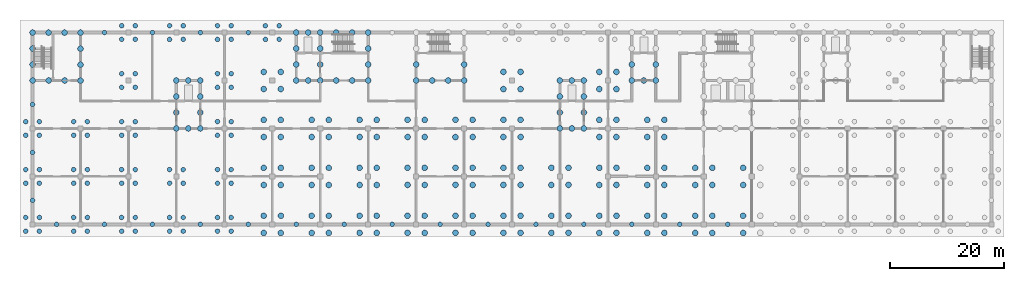
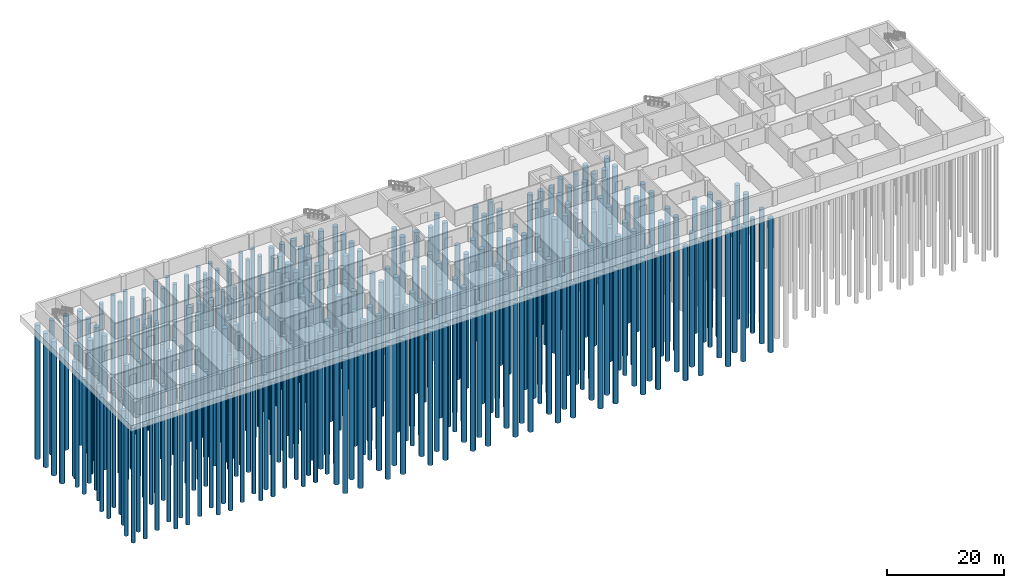
# One storey, part 1 of 11: 291 piles.
"""IFC4 building model written with IfcOpenShell, lengths in metres."""

from ifc_helpers import new_model, si_unit, direction, frame, origin, origin_2d, place, context, subcontext, project, spatial, circle, extrude, material, material_profile, profile_set, type_object, element, save


model = new_model("IFC4")

# Units and contexts
model_context = context("Model", 3, precision=1e-05, world=origin(), true_north=direction((0.0, 1.0)))
body_context = subcontext(model_context, "Body", "Model", "MODEL_VIEW")
ifc_project = project(units=[si_unit("LENGTHUNIT", "METRE"), si_unit("AREAUNIT", "SQUARE_METRE"), si_unit("VOLUMEUNIT", "CUBIC_METRE"), si_unit("PLANEANGLEUNIT", "RADIAN"), si_unit("MASSUNIT", "GRAM", prefix="KILO")], contexts=[model_context])

# Site, building, storey
site_placement = place(None, origin())
site = spatial("IfcSite", under=ifc_project, at=site_placement, CompositionType="ELEMENT")
building_placement = place(site_placement, origin())
building = spatial("IfcBuilding", under=site, at=building_placement, Name="Yavir Park General Hospital", CompositionType="ELEMENT")
storey_placement = place(building_placement, frame((0.0, 0.0, -15.0)))
storey = spatial("IfcBuildingStorey", under=building, at=storey_placement, Name="B4", CompositionType="ELEMENT", Elevation=-15.0)

# Piles
ifc_material_1 = material(Name="Concrete C35/45", Category="concrete")
ifc_material_profile_1 = material_profile(ifc_material_1, circle(Radius=0.5, at=origin_2d()), Name="D1000")
ifc_profile_set_1 = profile_set([ifc_material_profile_1], Name="Concrete C35/45")
pile_type_1 = type_object("IfcPileType", Name="BORED PILE D1000", PredefinedType="BORED", material=ifc_profile_set_1)
for number, where, z_axis, x_axis, name in (
    (1, (40.5, -1.5, -1.2001953125), (0.0, 0.0, -1.0), (1.0, 0.0, 0.0), "P:B4:000"),
    (2, (43.5, -1.5, -1.2001953125), (0.0, 0.0, -1.0), (1.0, 0.0, 0.0), "P:B4:001"),
    (3, (48.89990234375, -1.5, -1.2001953125), (0.0, 0.0, -1.0), (1.0, 0.0, 0.0), "P:B4:002"),
    (4, (51.89990234375, -1.5, -1.2001953125), (0.0, 0.0, -1.0), (1.0, 0.0, 0.0), "P:B4:003"),
    (5, (57.300048828125, -1.5, -1.2001953125), (0.0, 0.0, -1.0), (1.0, 0.0, 0.0), "P:B4:004"),
    (6, (60.300048828125, -1.5, -1.2001953125), (0.0, 0.0, -1.0), (1.0, 0.0, 0.0), "P:B4:005"),
    (7, (65.699951171875, -1.5, -1.2001953125), (0.0, 0.0, -1.0), (1.0, 0.0, 0.0), "P:B4:006"),
    (8, (68.699951171875, -1.5, -1.2001953125), (0.0, 0.0, -1.0), (1.0, 0.0, 0.0), "P:B4:007"),
    (9, (74.10009765625, -1.5, -1.2001953125), (0.0, 0.0, -1.0), (1.0, 0.0, 0.0), "P:B4:008"),
    (10, (77.10009765625, -1.5, -1.2001953125), (0.0, 0.0, -1.0), (1.0, 0.0, 0.0), "P:B4:009"),
    (11, (82.5, -1.5, -1.2001953125), (0.0, 0.0, -1.0), (1.0, 0.0, 0.0), "P:B4:010"),
    (12, (85.5, -1.5, -1.2001953125), (0.0, 0.0, -1.0), (1.0, 0.0, 0.0), "P:B4:011"),
    (13, (90.89990234375, -1.5, -1.2001953125), (0.0, 0.0, -1.0), (1.0, 0.0, 0.0), "P:B4:012"),
    (14, (93.89990234375, -1.5, -1.2001953125), (0.0, 0.0, -1.0), (1.0, 0.0, 0.0), "P:B4:013"),
    (15, (99.300048828125, -1.5, -1.2001953125), (0.0, 0.0, -1.0), (1.0, 0.0, 0.0), "P:B4:014"),
    (16, (102.300048828125, -1.5, -1.2001953125), (0.0, 0.0, -1.0), (1.0, 0.0, 0.0), "P:B4:015"),
    (17, (107.699951171875, -1.5, -1.2001953125), (0.0, 0.0, -1.0), (1.0, 0.0, 0.0), "P:B4:016"),
    (18, (110.699951171875, -1.5, -1.2001953125), (0.0, 0.0, -1.0), (1.0, 0.0, 0.0), "P:B4:017"),
    (19, (116.10009765625, -1.5, -1.2001953125), (0.0, 0.0, -1.0), (1.0, 0.0, 0.0), "P:B4:018"),
    (20, (119.10009765625, -1.5, -1.2001953125), (0.0, 0.0, -1.0), (1.0, 0.0, 0.0), "P:B4:019"),
    (21, (124.5, -1.5, -1.2001953125), (0.0, 0.0, -1.0), (1.0, 0.0, 0.0), "P:B4:020"),
    (22, (40.5, 1.5, -1.2001953125), (0.0, 0.0, -1.0), (1.0, 0.0, 0.0), "P:B4:082"),
    (23, (43.5, 1.5, -1.2001953125), (0.0, 0.0, -1.0), (1.0, 0.0, 0.0), "P:B4:083"),
    (24, (48.89990234375, 1.5, -1.2001953125), (0.0, 0.0, -1.0), (1.0, 0.0, 0.0), "P:B4:084"),
    (25, (51.89990234375, 1.5, -1.2001953125), (0.0, 0.0, -1.0), (1.0, 0.0, 0.0), "P:B4:085"),
    (26, (57.300048828125, 1.5, -1.2001953125), (0.0, 0.0, -1.0), (1.0, 0.0, 0.0), "P:B4:086"),
    (27, (60.300048828125, 1.5, -1.2001953125), (0.0, 0.0, -1.0), (1.0, 0.0, 0.0), "P:B4:087"),
    (28, (65.699951171875, 1.5, -1.2001953125), (0.0, 0.0, -1.0), (1.0, 0.0, 0.0), "P:B4:088"),
    (29, (68.699951171875, 1.5, -1.2001953125), (0.0, 0.0, -1.0), (1.0, 0.0, 0.0), "P:B4:089"),
    (30, (74.10009765625, 1.5, -1.2001953125), (0.0, 0.0, -1.0), (1.0, 0.0, 0.0), "P:B4:090"),
    (31, (77.10009765625, 1.5, -1.2001953125), (0.0, 0.0, -1.0), (1.0, 0.0, 0.0), "P:B4:091"),
    (32, (82.5, 1.5, -1.2001953125), (0.0, 0.0, -1.0), (1.0, 0.0, 0.0), "P:B4:092"),
    (33, (85.5, 1.5, -1.2001953125), (0.0, 0.0, -1.0), (1.0, 0.0, 0.0), "P:B4:093"),
    (34, (90.89990234375, 1.5, -1.2001953125), (0.0, 0.0, -1.0), (1.0, 0.0, 0.0), "P:B4:094"),
    (35, (93.89990234375, 1.5, -1.2001953125), (0.0, 0.0, -1.0), (1.0, 0.0, 0.0), "P:B4:095"),
    (36, (99.300048828125, 1.5, -1.2001953125), (0.0, 0.0, -1.0), (1.0, 0.0, 0.0), "P:B4:096"),
    (37, (102.300048828125, 1.5, -1.2001953125), (0.0, 0.0, -1.0), (1.0, 0.0, 0.0), "P:B4:097"),
    (38, (107.699951171875, 1.5, -1.2001953125), (0.0, 0.0, -1.0), (1.0, 0.0, 0.0), "P:B4:098"),
    (39, (110.699951171875, 1.5, -1.2001953125), (0.0, 0.0, -1.0), (1.0, 0.0, 0.0), "P:B4:099"),
    (40, (116.10009765625, 1.5, -1.2001953125), (0.0, 0.0, -1.0), (1.0, 0.0, 0.0), "P:B4:100"),
    (41, (119.10009765625, 1.5, -1.2001953125), (0.0, 0.0, -1.0), (1.0, 0.0, 0.0), "P:B4:101"),
    (42, (124.5, 1.5, -1.2001953125), (0.0, 0.0, -1.0), (1.0, 0.0, 0.0), "P:B4:102"),
    (43, (40.5, 6.89990234375, -1.2001953125), (0.0, 0.0, -1.0), (1.0, 0.0, 0.0), "P:B4:106"),
    (44, (43.5, 6.89990234375, -1.2001953125), (0.0, 0.0, -1.0), (1.0, 0.0, 0.0), "P:B4:107"),
    (45, (48.89990234375, 6.89990234375, -1.2001953125), (0.0, 0.0, -1.0), (1.0, 0.0, 0.0), "P:B4:108"),
    (46, (51.89990234375, 6.89990234375, -1.2001953125), (0.0, 0.0, -1.0), (1.0, 0.0, 0.0), "P:B4:109"),
    (47, (57.300048828125, 6.89990234375, -1.2001953125), (0.0, 0.0, -1.0), (1.0, 0.0, 0.0), "P:B4:110"),
    (48, (60.300048828125, 6.89990234375, -1.2001953125), (0.0, 0.0, -1.0), (1.0, 0.0, 0.0), "P:B4:111"),
    (49, (65.699951171875, 6.89990234375, -1.2001953125), (0.0, 0.0, -1.0), (1.0, 0.0, 0.0), "P:B4:112"),
    (50, (68.699951171875, 6.89990234375, -1.2001953125), (0.0, 0.0, -1.0), (1.0, 0.0, 0.0), "P:B4:113"),
    (51, (74.10009765625, 6.89990234375, -1.2001953125), (0.0, 0.0, -1.0), (1.0, 0.0, 0.0), "P:B4:114"),
    (52, (77.10009765625, 6.89990234375, -1.2001953125), (0.0, 0.0, -1.0), (1.0, 0.0, 0.0), "P:B4:115"),
    (53, (82.5, 6.89990234375, -1.2001953125), (0.0, 0.0, -1.0), (1.0, 0.0, 0.0), "P:B4:116"),
    (54, (85.5, 6.89990234375, -1.2001953125), (0.0, 0.0, -1.0), (1.0, 0.0, 0.0), "P:B4:117"),
    (55, (90.89990234375, 6.89990234375, -1.2001953125), (0.0, 0.0, -1.0), (1.0, 0.0, 0.0), "P:B4:118"),
    (56, (93.89990234375, 6.89990234375, -1.2001953125), (0.0, 0.0, -1.0), (1.0, 0.0, 0.0), "P:B4:119"),
    (57, (99.300048828125, 6.89990234375, -1.2001953125), (0.0, 0.0, -1.0), (1.0, 0.0, 0.0), "P:B4:120"),
    (58, (102.300048828125, 6.89990234375, -1.2001953125), (0.0, 0.0, -1.0), (1.0, 0.0, 0.0), "P:B4:121"),
    (59, (107.699951171875, 6.89990234375, -1.2001953125), (0.0, 0.0, -1.0), (1.0, 0.0, 0.0), "P:B4:122"),
    (60, (110.699951171875, 6.89990234375, -1.2001953125), (0.0, 0.0, -1.0), (1.0, 0.0, 0.0), "P:B4:123"),
    (61, (116.10009765625, 6.89990234375, -1.2001953125), (0.0, 0.0, -1.0), (1.0, 0.0, 0.0), "P:B4:124"),
    (62, (119.10009765625, 6.89990234375, -1.2001953125), (0.0, 0.0, -1.0), (1.0, 0.0, 0.0), "P:B4:125"),
    (63, (124.5, 6.89990234375, -1.2001953125), (0.0, 0.0, -1.0), (1.0, 0.0, 0.0), "P:B4:126"),
    (64, (40.5, 9.89990234375, -1.2001953125), (0.0, 0.0, -1.0), (1.0, 0.0, 0.0), "P:B4:168"),
    (65, (43.5, 9.89990234375, -1.2001953125), (0.0, 0.0, -1.0), (1.0, 0.0, 0.0), "P:B4:169"),
    (66, (48.89990234375, 9.89990234375, -1.2001953125), (0.0, 0.0, -1.0), (1.0, 0.0, 0.0), "P:B4:170"),
    (67, (51.89990234375, 9.89990234375, -1.2001953125), (0.0, 0.0, -1.0), (1.0, 0.0, 0.0), "P:B4:171"),
    (68, (57.300048828125, 9.89990234375, -1.2001953125), (0.0, 0.0, -1.0), (1.0, 0.0, 0.0), "P:B4:172"),
    (69, (60.300048828125, 9.89990234375, -1.2001953125), (0.0, 0.0, -1.0), (1.0, 0.0, 0.0), "P:B4:173"),
    (70, (65.699951171875, 9.89990234375, -1.2001953125), (0.0, 0.0, -1.0), (1.0, 0.0, 0.0), "P:B4:174"),
    (71, (68.699951171875, 9.89990234375, -1.2001953125), (0.0, 0.0, -1.0), (1.0, 0.0, 0.0), "P:B4:175"),
    (72, (74.10009765625, 9.89990234375, -1.2001953125), (0.0, 0.0, -1.0), (1.0, 0.0, 0.0), "P:B4:176"),
    (73, (77.10009765625, 9.89990234375, -1.2001953125), (0.0, 0.0, -1.0), (1.0, 0.0, 0.0), "P:B4:177"),
    (74, (82.5, 9.89990234375, -1.2001953125), (0.0, 0.0, -1.0), (1.0, 0.0, 0.0), "P:B4:178"),
    (75, (85.5, 9.89990234375, -1.2001953125), (0.0, 0.0, -1.0), (1.0, 0.0, 0.0), "P:B4:179"),
    (76, (90.89990234375, 9.89990234375, -1.2001953125), (0.0, 0.0, -1.0), (1.0, 0.0, 0.0), "P:B4:180"),
    (77, (93.89990234375, 9.89990234375, -1.2001953125), (0.0, 0.0, -1.0), (1.0, 0.0, 0.0), "P:B4:181"),
    (78, (99.300048828125, 9.89990234375, -1.2001953125), (0.0, 0.0, -1.0), (1.0, 0.0, 0.0), "P:B4:182"),
    (79, (102.300048828125, 9.89990234375, -1.2001953125), (0.0, 0.0, -1.0), (1.0, 0.0, 0.0), "P:B4:183"),
    (80, (107.699951171875, 9.89990234375, -1.2001953125), (0.0, 0.0, -1.0), (1.0, 0.0, 0.0), "P:B4:184"),
    (81, (110.699951171875, 9.89990234375, -1.2001953125), (0.0, 0.0, -1.0), (1.0, 0.0, 0.0), "P:B4:185"),
    (82, (116.10009765625, 9.89990234375, -1.2001953125), (0.0, 0.0, -1.0), (1.0, 0.0, 0.0), "P:B4:186"),
    (83, (119.10009765625, 9.89990234375, -1.2001953125), (0.0, 0.0, -1.0), (1.0, 0.0, 0.0), "P:B4:187"),
    (84, (124.5, 9.89990234375, -1.2001953125), (0.0, 0.0, -1.0), (1.0, 0.0, 0.0), "P:B4:188"),
    (85, (40.5, 15.300048828125, -1.2001953125), (0.0, 0.0, -1.0), (1.0, 0.0, 0.0), "P:B4:192"),
    (86, (43.5, 15.300048828125, -1.2001953125), (0.0, 0.0, -1.0), (1.0, 0.0, 0.0), "P:B4:193"),
    (87, (48.89990234375, 15.300048828125, -1.2001953125), (0.0, 0.0, -1.0), (1.0, 0.0, 0.0), "P:B4:194"),
    (88, (51.89990234375, 15.300048828125, -1.2001953125), (0.0, 0.0, -1.0), (1.0, 0.0, 0.0), "P:B4:195"),
    (89, (57.300048828125, 15.300048828125, -1.2001953125), (0.0, 0.0, -1.0), (1.0, 0.0, 0.0), "P:B4:196"),
    (90, (60.300048828125, 15.300048828125, -1.2001953125), (0.0, 0.0, -1.0), (1.0, 0.0, 0.0), "P:B4:197"),
    (91, (65.699951171875, 15.300048828125, -1.2001953125), (0.0, 0.0, -1.0), (1.0, 0.0, 0.0), "P:B4:198"),
    (92, (68.699951171875, 15.300048828125, -1.2001953125), (0.0, 0.0, -1.0), (1.0, 0.0, 0.0), "P:B4:199"),
    (93, (74.10009765625, 15.300048828125, -1.2001953125), (0.0, 0.0, -1.0), (1.0, 0.0, 0.0), "P:B4:200"),
    (94, (77.10009765625, 15.300048828125, -1.2001953125), (0.0, 0.0, -1.0), (1.0, 0.0, 0.0), "P:B4:201"),
    (95, (82.5, 15.300048828125, -1.2001953125), (0.0, 0.0, -1.0), (1.0, 0.0, 0.0), "P:B4:202"),
    (96, (85.5, 15.300048828125, -1.2001953125), (0.0, 0.0, -1.0), (1.0, 0.0, 0.0), "P:B4:203"),
    (97, (99.300048828125, 15.300048828125, -1.2001953125), (0.0, 0.0, -1.0), (1.0, 0.0, 0.0), "P:B4:204"),
    (98, (102.300048828125, 15.300048828125, -1.2001953125), (0.0, 0.0, -1.0), (1.0, 0.0, 0.0), "P:B4:205"),
    (99, (107.699951171875, 15.300048828125, -1.2001953125), (0.0, 0.0, -1.0), (1.0, 0.0, 0.0), "P:B4:206"),
    (100, (110.699951171875, 15.300048828125, -1.2001953125), (0.0, 0.0, -1.0), (1.0, 0.0, 0.0), "P:B4:207"),
    (101, (25.199951171875, 16.800048828125, -1.2001953125), (0.0, 0.0, -1.0), (1.0, 0.0, 0.0), "P:B4:226"),
    (102, (27.300048828125, 16.800048828125, -1.2001953125), (0.0, 0.0, -1.0), (1.0, 0.0, 0.0), "P:B4:227"),
    (103, (29.39990234375, 16.800048828125, -1.2001953125), (0.0, 0.0, -1.0), (1.0, 0.0, 0.0), "P:B4:228"),
    (104, (92.39990234375, 16.800048828125, -1.2001953125), (0.0, 0.0, -1.0), (1.0, 0.0, 0.0), "P:B4:229"),
    (105, (94.5, 16.800048828125, -1.2001953125), (0.0, 0.0, -1.0), (1.0, 0.0, 0.0), "P:B4:230"),
    (106, (96.60009765625, 16.800048828125, -1.2001953125), (0.0, 0.0, -1.0), (1.0, 0.0, 0.0), "P:B4:231"),
    (107, (40.5, 18.300048828125, -1.2001953125), (0.0, 0.0, -1.0), (1.0, 0.0, 0.0), "P:B4:254"),
    (108, (43.5, 18.300048828125, -1.2001953125), (0.0, 0.0, -1.0), (1.0, 0.0, 0.0), "P:B4:255"),
    (109, (48.89990234375, 18.300048828125, -1.2001953125), (0.0, 0.0, -1.0), (1.0, 0.0, 0.0), "P:B4:256"),
    (110, (51.89990234375, 18.300048828125, -1.2001953125), (0.0, 0.0, -1.0), (1.0, 0.0, 0.0), "P:B4:257"),
    (111, (57.300048828125, 18.300048828125, -1.2001953125), (0.0, 0.0, -1.0), (1.0, 0.0, 0.0), "P:B4:258"),
    (112, (60.300048828125, 18.300048828125, -1.2001953125), (0.0, 0.0, -1.0), (1.0, 0.0, 0.0), "P:B4:259"),
    (113, (65.699951171875, 18.300048828125, -1.2001953125), (0.0, 0.0, -1.0), (1.0, 0.0, 0.0), "P:B4:260"),
    (114, (68.699951171875, 18.300048828125, -1.2001953125), (0.0, 0.0, -1.0), (1.0, 0.0, 0.0), "P:B4:261"),
    (115, (74.10009765625, 18.300048828125, -1.2001953125), (0.0, 0.0, -1.0), (1.0, 0.0, 0.0), "P:B4:262"),
    (116, (77.10009765625, 18.300048828125, -1.2001953125), (0.0, 0.0, -1.0), (1.0, 0.0, 0.0), "P:B4:263"),
    (117, (82.5, 18.300048828125, -1.2001953125), (0.0, 0.0, -1.0), (1.0, 0.0, 0.0), "P:B4:264"),
    (118, (85.5, 18.300048828125, -1.2001953125), (0.0, 0.0, -1.0), (1.0, 0.0, 0.0), "P:B4:265"),
    (119, (99.300048828125, 18.300048828125, -1.2001953125), (0.0, 0.0, -1.0), (1.0, 0.0, 0.0), "P:B4:266"),
    (120, (102.300048828125, 18.300048828125, -1.2001953125), (0.0, 0.0, -1.0), (1.0, 0.0, 0.0), "P:B4:267"),
    (121, (107.699951171875, 18.300048828125, -1.2001953125), (0.0, 0.0, -1.0), (1.0, 0.0, 0.0), "P:B4:268"),
    (122, (110.699951171875, 18.300048828125, -1.2001953125), (0.0, 0.0, -1.0), (1.0, 0.0, 0.0), "P:B4:269"),
    (123, (25.199951171875, 19.60009765625, -1.2001953125), (0.0, 0.0, -1.0), (1.0, 0.0, 0.0), "P:B4:270"),
    (124, (29.39990234375, 19.60009765625, -1.2001953125), (0.0, 0.0, -1.0), (1.0, 0.0, 0.0), "P:B4:271"),
    (125, (92.39990234375, 19.60009765625, -1.2001953125), (0.0, 0.0, -1.0), (1.0, 0.0, 0.0), "P:B4:272"),
    (126, (96.60009765625, 19.60009765625, -1.2001953125), (0.0, 0.0, -1.0), (1.0, 0.0, 0.0), "P:B4:273"),
    (127, (25.199951171875, 22.39990234375, -1.2001953125), (0.0, 0.0, -1.0), (1.0, 0.0, 0.0), "P:B4:278"),
    (128, (29.39990234375, 22.39990234375, -1.2001953125), (0.0, 0.0, -1.0), (1.0, 0.0, 0.0), "P:B4:279"),
    (129, (92.39990234375, 22.39990234375, -1.2001953125), (0.0, 0.0, -1.0), (1.0, 0.0, 0.0), "P:B4:280"),
    (130, (96.60009765625, 22.39990234375, -1.2001953125), (0.0, 0.0, -1.0), (1.0, 0.0, 0.0), "P:B4:281"),
    (131, (40.5, 23.699951171875, -1.2001953125), (0.0, 0.0, -1.0), (1.0, 0.0, 0.0), "P:B4:284"),
    (132, (43.5, 23.699951171875, -1.2001953125), (0.0, 0.0, -1.0), (1.0, 0.0, 0.0), "P:B4:285"),
    (133, (82.5, 23.699951171875, -1.2001953125), (0.0, 0.0, -1.0), (1.0, 0.0, 0.0), "P:B4:286"),
    (134, (85.5, 23.699951171875, -1.2001953125), (0.0, 0.0, -1.0), (1.0, 0.0, 0.0), "P:B4:287"),
    (135, (99.300048828125, 23.699951171875, -1.2001953125), (0.0, 0.0, -1.0), (1.0, 0.0, 0.0), "P:B4:288"),
    (136, (102.300048828125, 23.699951171875, -1.2001953125), (0.0, 0.0, -1.0), (1.0, 0.0, 0.0), "P:B4:289"),
    (137, (0.0, 25.199951171875, -1.2001953125), (0.0, 0.0, -1.0), (1.0, 0.0, 0.0), "P:B4:298"),
    (138, (2.800048828125, 25.199951171875, -1.2001953125), (0.0, 0.0, -1.0), (1.0, 0.0, 0.0), "P:B4:299"),
    (139, (5.60009765625, 25.199951171875, -1.2001953125), (0.0, 0.0, -1.0), (1.0, 0.0, 0.0), "P:B4:300"),
    (140, (8.39990234375, 25.199951171875, -1.2001953125), (0.0, 0.0, -1.0), (1.0, 0.0, 0.0), "P:B4:301"),
    (141, (25.199951171875, 25.199951171875, -1.2001953125), (0.0, 0.0, -1.0), (1.0, 0.0, 0.0), "P:B4:302"),
    (142, (27.300048828125, 25.199951171875, -1.2001953125), (0.0, 0.0, -1.0), (1.0, 0.0, 0.0), "P:B4:303"),
    (143, (29.39990234375, 25.199951171875, -1.2001953125), (0.0, 0.0, -1.0), (1.0, 0.0, 0.0), "P:B4:304"),
    (144, (46.199951171875, 25.199951171875, -1.2001953125), (0.0, 0.0, -1.0), (1.0, 0.0, 0.0), "P:B4:305"),
    (145, (48.300048828125, 25.199951171875, -1.2001953125), (0.0, 0.0, -1.0), (1.0, 0.0, 0.0), "P:B4:306"),
    (146, (50.39990234375, 25.199951171875, -1.2001953125), (0.0, 0.0, -1.0), (1.0, 0.0, 0.0), "P:B4:307"),
    (147, (53.199951171875, 25.199951171875, -1.2001953125), (0.0, 0.0, -1.0), (1.0, 0.0, 0.0), "P:B4:308"),
    (148, (56.0, 25.199951171875, -1.2001953125), (0.0, 0.0, -1.0), (1.0, 0.0, 0.0), "P:B4:309"),
    (149, (58.800048828125, 25.199951171875, -1.2001953125), (0.0, 0.0, -1.0), (1.0, 0.0, 0.0), "P:B4:310"),
    (150, (67.199951171875, 25.199951171875, -1.2001953125), (0.0, 0.0, -1.0), (1.0, 0.0, 0.0), "P:B4:311"),
    (151, (70.0, 25.199951171875, -1.2001953125), (0.0, 0.0, -1.0), (1.0, 0.0, 0.0), "P:B4:312"),
    (152, (72.800048828125, 25.199951171875, -1.2001953125), (0.0, 0.0, -1.0), (1.0, 0.0, 0.0), "P:B4:313"),
    (153, (75.60009765625, 25.199951171875, -1.2001953125), (0.0, 0.0, -1.0), (1.0, 0.0, 0.0), "P:B4:314"),
    (154, (92.39990234375, 25.199951171875, -1.2001953125), (0.0, 0.0, -1.0), (1.0, 0.0, 0.0), "P:B4:315"),
    (155, (94.5, 25.199951171875, -1.2001953125), (0.0, 0.0, -1.0), (1.0, 0.0, 0.0), "P:B4:316"),
    (156, (96.60009765625, 25.199951171875, -1.2001953125), (0.0, 0.0, -1.0), (1.0, 0.0, 0.0), "P:B4:317"),
    (157, (105.0, 25.199951171875, -1.2001953125), (0.0, 0.0, -1.0), (1.0, 0.0, 0.0), "P:B4:318"),
    (158, (107.10009765625, 25.199951171875, -1.2001953125), (0.0, 0.0, -1.0), (1.0, 0.0, 0.0), "P:B4:319"),
    (159, (109.199951171875, 25.199951171875, -1.2001953125), (0.0, 0.0, -1.0), (1.0, 0.0, 0.0), "P:B4:320"),
    (160, (40.5, 26.699951171875, -1.2001953125), (0.0, 0.0, -1.0), (1.0, 0.0, 0.0), "P:B4:340"),
    (161, (43.5, 26.699951171875, -1.2001953125), (0.0, 0.0, -1.0), (1.0, 0.0, 0.0), "P:B4:341"),
    (162, (82.5, 26.699951171875, -1.2001953125), (0.0, 0.0, -1.0), (1.0, 0.0, 0.0), "P:B4:342"),
    (163, (85.5, 26.699951171875, -1.2001953125), (0.0, 0.0, -1.0), (1.0, 0.0, 0.0), "P:B4:343"),
    (164, (99.300048828125, 26.699951171875, -1.2001953125), (0.0, 0.0, -1.0), (1.0, 0.0, 0.0), "P:B4:344"),
    (165, (102.300048828125, 26.699951171875, -1.2001953125), (0.0, 0.0, -1.0), (1.0, 0.0, 0.0), "P:B4:345"),
    (166, (0.0, 28.0, -1.2001953125), (0.0, 0.0, -1.0), (1.0, 0.0, 0.0), "P:B4:346"),
    (167, (8.39990234375, 28.0, -1.2001953125), (0.0, 0.0, -1.0), (1.0, 0.0, 0.0), "P:B4:347"),
    (168, (46.199951171875, 28.0, -1.2001953125), (0.0, 0.0, -1.0), (1.0, 0.0, 0.0), "P:B4:348"),
    (169, (50.39990234375, 28.0, -1.2001953125), (0.0, 0.0, -1.0), (1.0, 0.0, 0.0), "P:B4:349"),
    (170, (58.800048828125, 28.0, -1.2001953125), (0.0, 0.0, -1.0), (1.0, 0.0, 0.0), "P:B4:350"),
    (171, (67.199951171875, 28.0, -1.2001953125), (0.0, 0.0, -1.0), (1.0, 0.0, 0.0), "P:B4:351"),
    (172, (75.60009765625, 28.0, -1.2001953125), (0.0, 0.0, -1.0), (1.0, 0.0, 0.0), "P:B4:352"),
    (173, (105.0, 28.0, -1.2001953125), (0.0, 0.0, -1.0), (1.0, 0.0, 0.0), "P:B4:353"),
    (174, (109.199951171875, 28.0, -1.2001953125), (0.0, 0.0, -1.0), (1.0, 0.0, 0.0), "P:B4:354"),
    (175, (0.0, 30.800048828125, -1.2001953125), (0.0, 0.0, -1.0), (1.0, 0.0, 0.0), "P:B4:361"),
    (176, (8.39990234375, 30.800048828125, -1.2001953125), (0.0, 0.0, -1.0), (1.0, 0.0, 0.0), "P:B4:362"),
    (177, (46.199951171875, 30.800048828125, -1.2001953125), (0.0, 0.0, -1.0), (1.0, 0.0, 0.0), "P:B4:363"),
    (178, (50.39990234375, 30.800048828125, -1.2001953125), (0.0, 0.0, -1.0), (1.0, 0.0, 0.0), "P:B4:364"),
    (179, (58.800048828125, 30.800048828125, -1.2001953125), (0.0, 0.0, -1.0), (1.0, 0.0, 0.0), "P:B4:365"),
    (180, (0.0, 33.60009765625, -1.2001953125), (0.0, 0.0, -1.0), (1.0, 0.0, 0.0), "P:B4:394"),
    (181, (2.800048828125, 33.60009765625, -1.2001953125), (0.0, 0.0, -1.0), (1.0, 0.0, 0.0), "P:B4:395"),
    (182, (5.60009765625, 33.60009765625, -1.2001953125), (0.0, 0.0, -1.0), (1.0, 0.0, 0.0), "P:B4:396"),
    (183, (8.39990234375, 33.60009765625, -1.2001953125), (0.0, 0.0, -1.0), (1.0, 0.0, 0.0), "P:B4:397"),
    (184, (46.199951171875, 33.60009765625, -1.2001953125), (0.0, 0.0, -1.0), (1.0, 0.0, 0.0), "P:B4:402"),
    (185, (48.300048828125, 33.60009765625, -1.2001953125), (0.0, 0.0, -1.0), (1.0, 0.0, 0.0), "P:B4:403"),
    (186, (50.39990234375, 33.60009765625, -1.2001953125), (0.0, 0.0, -1.0), (1.0, 0.0, 0.0), "P:B4:404"),
    (187, (53.199951171875, 33.60009765625, -1.2001953125), (0.0, 0.0, -1.0), (1.0, 0.0, 0.0), "P:B4:405"),
    (188, (56.0, 33.60009765625, -1.2001953125), (0.0, 0.0, -1.0), (1.0, 0.0, 0.0), "P:B4:406"),
    (189, (58.800048828125, 33.60009765625, -1.2001953125), (0.0, 0.0, -1.0), (1.0, 0.0, 0.0), "P:B4:407"),
):
    element("IfcPile", number, at=place(storey_placement, frame(where, z_axis=z_axis, x_axis=x_axis)), inside=storey, type_object=pile_type_1, Name=name, PredefinedType="BORED", context=body_context, shape_type="SweptSolid", body=[
        extrude(circle(Radius=0.5, at=origin_2d()), origin(), (0.0, 0.0, 1.0), 28.0),
    ])
ifc_material_2 = material(Name="Concrete C35/45", Category="concrete")
ifc_material_profile_2 = material_profile(ifc_material_2, circle(Radius=0.39990234375, at=origin_2d()), Name="D800")
ifc_profile_set_2 = profile_set([ifc_material_profile_2], Name="Concrete C35/45")
pile_type_2 = type_object("IfcPileType", Name="BORED PILE D800", PredefinedType="BORED", material=ifc_profile_set_2)
for number, where, z_axis, x_axis, name in (
    (190, (-1.199951171875, -1.199951171875, -1.2001953125), (0.0, 0.0, -1.0), (1.0, 0.0, 0.0), "P:B4:022"),
    (191, (1.199951171875, -1.199951171875, -1.2001953125), (0.0, 0.0, -1.0), (1.0, 0.0, 0.0), "P:B4:023"),
    (192, (7.199951171875, -1.199951171875, -1.2001953125), (0.0, 0.0, -1.0), (1.0, 0.0, 0.0), "P:B4:024"),
    (193, (9.60009765625, -1.199951171875, -1.2001953125), (0.0, 0.0, -1.0), (1.0, 0.0, 0.0), "P:B4:025"),
    (194, (15.60009765625, -1.199951171875, -1.2001953125), (0.0, 0.0, -1.0), (1.0, 0.0, 0.0), "P:B4:026"),
    (195, (18.0, -1.199951171875, -1.2001953125), (0.0, 0.0, -1.0), (1.0, 0.0, 0.0), "P:B4:027"),
    (196, (24.0, -1.199951171875, -1.2001953125), (0.0, 0.0, -1.0), (1.0, 0.0, 0.0), "P:B4:028"),
    (197, (26.39990234375, -1.199951171875, -1.2001953125), (0.0, 0.0, -1.0), (1.0, 0.0, 0.0), "P:B4:029"),
    (198, (32.39990234375, -1.199951171875, -1.2001953125), (0.0, 0.0, -1.0), (1.0, 0.0, 0.0), "P:B4:030"),
    (199, (34.800048828125, -1.199951171875, -1.2001953125), (0.0, 0.0, -1.0), (1.0, 0.0, 0.0), "P:B4:031"),
    (200, (4.199951171875, 0.0, -1.2001953125), (0.0, 0.0, -1.0), (1.0, 0.0, 0.0), "P:B4:042"),
    (201, (12.60009765625, 0.0, -1.2001953125), (0.0, 0.0, -1.0), (1.0, 0.0, 0.0), "P:B4:043"),
    (202, (21.0, 0.0, -1.2001953125), (0.0, 0.0, -1.0), (1.0, 0.0, 0.0), "P:B4:044"),
    (203, (29.39990234375, 0.0, -1.2001953125), (0.0, 0.0, -1.0), (1.0, 0.0, 0.0), "P:B4:045"),
    (204, (37.800048828125, 0.0, -1.2001953125), (0.0, 0.0, -1.0), (1.0, 0.0, 0.0), "P:B4:046"),
    (205, (46.199951171875, 0.0, -1.2001953125), (0.0, 0.0, -1.0), (1.0, 0.0, 0.0), "P:B4:047"),
    (206, (54.60009765625, 0.0, -1.2001953125), (0.0, 0.0, -1.0), (1.0, 0.0, 0.0), "P:B4:048"),
    (207, (63.0, 0.0, -1.2001953125), (0.0, 0.0, -1.0), (1.0, 0.0, 0.0), "P:B4:049"),
    (208, (71.39990234375, 0.0, -1.2001953125), (0.0, 0.0, -1.0), (1.0, 0.0, 0.0), "P:B4:050"),
    (209, (79.800048828125, 0.0, -1.2001953125), (0.0, 0.0, -1.0), (1.0, 0.0, 0.0), "P:B4:051"),
    (210, (88.199951171875, 0.0, -1.2001953125), (0.0, 0.0, -1.0), (1.0, 0.0, 0.0), "P:B4:052"),
    (211, (96.60009765625, 0.0, -1.2001953125), (0.0, 0.0, -1.0), (1.0, 0.0, 0.0), "P:B4:053"),
    (212, (105.0, 0.0, -1.2001953125), (0.0, 0.0, -1.0), (1.0, 0.0, 0.0), "P:B4:054"),
    (213, (113.39990234375, 0.0, -1.2001953125), (0.0, 0.0, -1.0), (1.0, 0.0, 0.0), "P:B4:055"),
    (214, (121.800048828125, 0.0, -1.2001953125), (0.0, 0.0, -1.0), (1.0, 0.0, 0.0), "P:B4:056"),
    (215, (-1.199951171875, 1.199951171875, -1.2001953125), (0.0, 0.0, -1.0), (1.0, 0.0, 0.0), "P:B4:062"),
    (216, (1.199951171875, 1.199951171875, -1.2001953125), (0.0, 0.0, -1.0), (1.0, 0.0, 0.0), "P:B4:063"),
    (217, (7.199951171875, 1.199951171875, -1.2001953125), (0.0, 0.0, -1.0), (1.0, 0.0, 0.0), "P:B4:064"),
    (218, (9.60009765625, 1.199951171875, -1.2001953125), (0.0, 0.0, -1.0), (1.0, 0.0, 0.0), "P:B4:065"),
    (219, (15.60009765625, 1.199951171875, -1.2001953125), (0.0, 0.0, -1.0), (1.0, 0.0, 0.0), "P:B4:066"),
    (220, (18.0, 1.199951171875, -1.2001953125), (0.0, 0.0, -1.0), (1.0, 0.0, 0.0), "P:B4:067"),
    (221, (24.0, 1.199951171875, -1.2001953125), (0.0, 0.0, -1.0), (1.0, 0.0, 0.0), "P:B4:068"),
    (222, (26.39990234375, 1.199951171875, -1.2001953125), (0.0, 0.0, -1.0), (1.0, 0.0, 0.0), "P:B4:069"),
    (223, (32.39990234375, 1.199951171875, -1.2001953125), (0.0, 0.0, -1.0), (1.0, 0.0, 0.0), "P:B4:070"),
    (224, (34.800048828125, 1.199951171875, -1.2001953125), (0.0, 0.0, -1.0), (1.0, 0.0, 0.0), "P:B4:071"),
    (225, (0.0, 4.199951171875, -1.2001953125), (0.0, 0.0, -1.0), (1.0, 0.0, 0.0), "P:B4:104"),
    (226, (-1.199951171875, 7.199951171875, -1.2001953125), (0.0, 0.0, -1.0), (1.0, 0.0, 0.0), "P:B4:128"),
    (227, (1.199951171875, 7.199951171875, -1.2001953125), (0.0, 0.0, -1.0), (1.0, 0.0, 0.0), "P:B4:129"),
    (228, (7.199951171875, 7.199951171875, -1.2001953125), (0.0, 0.0, -1.0), (1.0, 0.0, 0.0), "P:B4:130"),
    (229, (9.60009765625, 7.199951171875, -1.2001953125), (0.0, 0.0, -1.0), (1.0, 0.0, 0.0), "P:B4:131"),
    (230, (15.60009765625, 7.199951171875, -1.2001953125), (0.0, 0.0, -1.0), (1.0, 0.0, 0.0), "P:B4:132"),
    (231, (18.0, 7.199951171875, -1.2001953125), (0.0, 0.0, -1.0), (1.0, 0.0, 0.0), "P:B4:133"),
    (232, (24.0, 7.199951171875, -1.2001953125), (0.0, 0.0, -1.0), (1.0, 0.0, 0.0), "P:B4:134"),
    (233, (26.39990234375, 7.199951171875, -1.2001953125), (0.0, 0.0, -1.0), (1.0, 0.0, 0.0), "P:B4:135"),
    (234, (32.39990234375, 7.199951171875, -1.2001953125), (0.0, 0.0, -1.0), (1.0, 0.0, 0.0), "P:B4:136"),
    (235, (34.800048828125, 7.199951171875, -1.2001953125), (0.0, 0.0, -1.0), (1.0, 0.0, 0.0), "P:B4:137"),
    (236, (-1.199951171875, 9.60009765625, -1.2001953125), (0.0, 0.0, -1.0), (1.0, 0.0, 0.0), "P:B4:148"),
    (237, (1.199951171875, 9.60009765625, -1.2001953125), (0.0, 0.0, -1.0), (1.0, 0.0, 0.0), "P:B4:149"),
    (238, (7.199951171875, 9.60009765625, -1.2001953125), (0.0, 0.0, -1.0), (1.0, 0.0, 0.0), "P:B4:150"),
    (239, (9.60009765625, 9.60009765625, -1.2001953125), (0.0, 0.0, -1.0), (1.0, 0.0, 0.0), "P:B4:151"),
    (240, (15.60009765625, 9.60009765625, -1.2001953125), (0.0, 0.0, -1.0), (1.0, 0.0, 0.0), "P:B4:152"),
    (241, (18.0, 9.60009765625, -1.2001953125), (0.0, 0.0, -1.0), (1.0, 0.0, 0.0), "P:B4:153"),
    (242, (24.0, 9.60009765625, -1.2001953125), (0.0, 0.0, -1.0), (1.0, 0.0, 0.0), "P:B4:154"),
    (243, (26.39990234375, 9.60009765625, -1.2001953125), (0.0, 0.0, -1.0), (1.0, 0.0, 0.0), "P:B4:155"),
    (244, (32.39990234375, 9.60009765625, -1.2001953125), (0.0, 0.0, -1.0), (1.0, 0.0, 0.0), "P:B4:156"),
    (245, (34.800048828125, 9.60009765625, -1.2001953125), (0.0, 0.0, -1.0), (1.0, 0.0, 0.0), "P:B4:157"),
    (246, (0.0, 12.60009765625, -1.2001953125), (0.0, 0.0, -1.0), (1.0, 0.0, 0.0), "P:B4:190"),
    (247, (-1.199951171875, 15.60009765625, -1.2001953125), (0.0, 0.0, -1.0), (1.0, 0.0, 0.0), "P:B4:208"),
    (248, (1.199951171875, 15.60009765625, -1.2001953125), (0.0, 0.0, -1.0), (1.0, 0.0, 0.0), "P:B4:209"),
    (249, (7.199951171875, 15.60009765625, -1.2001953125), (0.0, 0.0, -1.0), (1.0, 0.0, 0.0), "P:B4:210"),
    (250, (9.60009765625, 15.60009765625, -1.2001953125), (0.0, 0.0, -1.0), (1.0, 0.0, 0.0), "P:B4:211"),
    (251, (15.60009765625, 15.60009765625, -1.2001953125), (0.0, 0.0, -1.0), (1.0, 0.0, 0.0), "P:B4:212"),
    (252, (18.0, 15.60009765625, -1.2001953125), (0.0, 0.0, -1.0), (1.0, 0.0, 0.0), "P:B4:213"),
    (253, (32.39990234375, 15.60009765625, -1.2001953125), (0.0, 0.0, -1.0), (1.0, 0.0, 0.0), "P:B4:214"),
    (254, (34.800048828125, 15.60009765625, -1.2001953125), (0.0, 0.0, -1.0), (1.0, 0.0, 0.0), "P:B4:215"),
    (255, (-1.199951171875, 18.0, -1.2001953125), (0.0, 0.0, -1.0), (1.0, 0.0, 0.0), "P:B4:236"),
    (256, (1.199951171875, 18.0, -1.2001953125), (0.0, 0.0, -1.0), (1.0, 0.0, 0.0), "P:B4:237"),
    (257, (7.199951171875, 18.0, -1.2001953125), (0.0, 0.0, -1.0), (1.0, 0.0, 0.0), "P:B4:238"),
    (258, (9.60009765625, 18.0, -1.2001953125), (0.0, 0.0, -1.0), (1.0, 0.0, 0.0), "P:B4:239"),
    (259, (15.60009765625, 18.0, -1.2001953125), (0.0, 0.0, -1.0), (1.0, 0.0, 0.0), "P:B4:240"),
    (260, (18.0, 18.0, -1.2001953125), (0.0, 0.0, -1.0), (1.0, 0.0, 0.0), "P:B4:241"),
    (261, (32.39990234375, 18.0, -1.2001953125), (0.0, 0.0, -1.0), (1.0, 0.0, 0.0), "P:B4:242"),
    (262, (34.800048828125, 18.0, -1.2001953125), (0.0, 0.0, -1.0), (1.0, 0.0, 0.0), "P:B4:243"),
    (263, (0.0, 21.0, -1.2001953125), (0.0, 0.0, -1.0), (1.0, 0.0, 0.0), "P:B4:276"),
    (264, (15.60009765625, 24.0, -1.2001953125), (0.0, 0.0, -1.0), (1.0, 0.0, 0.0), "P:B4:290"),
    (265, (18.0, 24.0, -1.2001953125), (0.0, 0.0, -1.0), (1.0, 0.0, 0.0), "P:B4:291"),
    (266, (32.39990234375, 24.0, -1.2001953125), (0.0, 0.0, -1.0), (1.0, 0.0, 0.0), "P:B4:292"),
    (267, (34.800048828125, 24.0, -1.2001953125), (0.0, 0.0, -1.0), (1.0, 0.0, 0.0), "P:B4:293"),
    (268, (15.60009765625, 26.39990234375, -1.2001953125), (0.0, 0.0, -1.0), (1.0, 0.0, 0.0), "P:B4:332"),
    (269, (18.0, 26.39990234375, -1.2001953125), (0.0, 0.0, -1.0), (1.0, 0.0, 0.0), "P:B4:333"),
    (270, (32.39990234375, 26.39990234375, -1.2001953125), (0.0, 0.0, -1.0), (1.0, 0.0, 0.0), "P:B4:334"),
    (271, (34.800048828125, 26.39990234375, -1.2001953125), (0.0, 0.0, -1.0), (1.0, 0.0, 0.0), "P:B4:335"),
    (272, (15.60009765625, 32.39990234375, -1.2001953125), (0.0, 0.0, -1.0), (1.0, 0.0, 0.0), "P:B4:376"),
    (273, (18.0, 32.39990234375, -1.2001953125), (0.0, 0.0, -1.0), (1.0, 0.0, 0.0), "P:B4:377"),
    (274, (24.0, 32.39990234375, -1.2001953125), (0.0, 0.0, -1.0), (1.0, 0.0, 0.0), "P:B4:378"),
    (275, (26.39990234375, 32.39990234375, -1.2001953125), (0.0, 0.0, -1.0), (1.0, 0.0, 0.0), "P:B4:379"),
    (276, (32.39990234375, 32.39990234375, -1.2001953125), (0.0, 0.0, -1.0), (1.0, 0.0, 0.0), "P:B4:380"),
    (277, (34.800048828125, 32.39990234375, -1.2001953125), (0.0, 0.0, -1.0), (1.0, 0.0, 0.0), "P:B4:381"),
    (278, (40.800048828125, 32.39990234375, -1.2001953125), (0.0, 0.0, -1.0), (1.0, 0.0, 0.0), "P:B4:382"),
    (279, (43.199951171875, 32.39990234375, -1.2001953125), (0.0, 0.0, -1.0), (1.0, 0.0, 0.0), "P:B4:383"),
    (280, (12.60009765625, 33.60009765625, -1.2001953125), (0.0, 0.0, -1.0), (1.0, 0.0, 0.0), "P:B4:398"),
    (281, (21.0, 33.60009765625, -1.2001953125), (0.0, 0.0, -1.0), (1.0, 0.0, 0.0), "P:B4:399"),
    (282, (29.39990234375, 33.60009765625, -1.2001953125), (0.0, 0.0, -1.0), (1.0, 0.0, 0.0), "P:B4:400"),
    (283, (37.800048828125, 33.60009765625, -1.2001953125), (0.0, 0.0, -1.0), (1.0, 0.0, 0.0), "P:B4:401"),
    (284, (15.60009765625, 34.800048828125, -1.2001953125), (0.0, 0.0, -1.0), (1.0, 0.0, 0.0), "P:B4:434"),
    (285, (18.0, 34.800048828125, -1.2001953125), (0.0, 0.0, -1.0), (1.0, 0.0, 0.0), "P:B4:435"),
    (286, (24.0, 34.800048828125, -1.2001953125), (0.0, 0.0, -1.0), (1.0, 0.0, 0.0), "P:B4:436"),
    (287, (26.39990234375, 34.800048828125, -1.2001953125), (0.0, 0.0, -1.0), (1.0, 0.0, 0.0), "P:B4:437"),
    (288, (32.39990234375, 34.800048828125, -1.2001953125), (0.0, 0.0, -1.0), (1.0, 0.0, 0.0), "P:B4:438"),
    (289, (34.800048828125, 34.800048828125, -1.2001953125), (0.0, 0.0, -1.0), (1.0, 0.0, 0.0), "P:B4:439"),
    (290, (40.800048828125, 34.800048828125, -1.2001953125), (0.0, 0.0, -1.0), (1.0, 0.0, 0.0), "P:B4:440"),
    (291, (43.199951171875, 34.800048828125, -1.2001953125), (0.0, 0.0, -1.0), (1.0, 0.0, 0.0), "P:B4:441"),
):
    element("IfcPile", number, at=place(storey_placement, frame(where, z_axis=z_axis, x_axis=x_axis)), inside=storey, type_object=pile_type_2, Name=name, PredefinedType="BORED", context=body_context, shape_type="SweptSolid", body=[
        extrude(circle(Radius=0.39990234375, at=origin_2d()), origin(), (0.0, 0.0, 1.0), 24.0),
    ])

save(model, "model.ifc")
